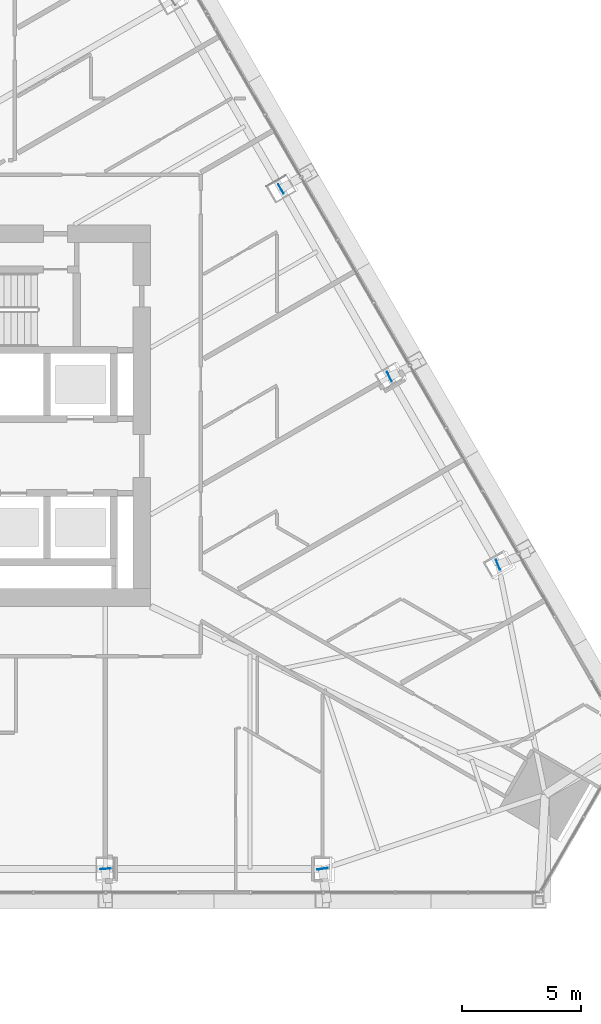
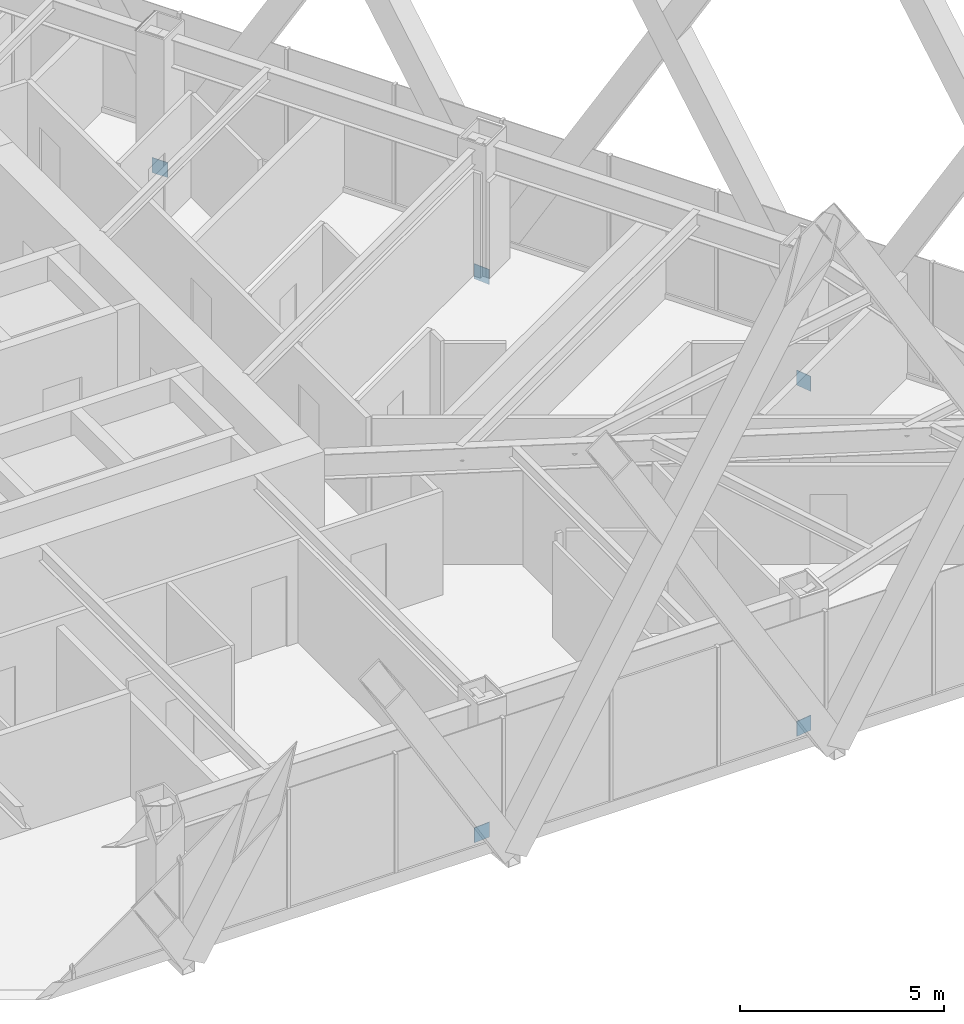
# One storey, part 23 of 26: 5 discrete accessories.
"""IFC4 building model written with IfcOpenShell, lengths in metres."""

import ifcopenshell
import ifcopenshell.guid

model = None  # the IFC model being written
_history = None  # IfcOwnerHistory: only IFC2X3 demands one
_inside = {}  # id of a spatial element -> (the spatial element, [elements in it])
_under = {}  # id of a project, library or spatial element -> (it, [spatial elements below it])
_declared = {}  # id of a project -> (the project, [libraries it declares])
_typed = {}  # id of a type object -> (the type object, [elements of that type])
_made_of = {}  # id of a material, layer set ... -> (it, [elements and type objects made of it])


def new_model(schema):
    """Start an empty IFC model of exactly this schema.

    Asked for "IFC4X3", IfcOpenShell would pick the latest addendum, in which some entities
    have other attributes; the version numbers below select the first issue.
    IFC2X3 requires an IfcOwnerHistory on every rooted entity: one is made here for all.
    """
    global model, _history
    if schema == "IFC4X3":
        model = ifcopenshell.file(schema_version=(4, 3, 0, 0))
    else:
        model = ifcopenshell.file(schema=schema)
    _inside.clear()
    _under.clear()
    _declared.clear()
    _typed.clear()
    _made_of.clear()
    _history = None
    if model.schema == "IFC2X3":
        org = make("IfcOrganization", Name="unknown")
        user = make(
            "IfcPersonAndOrganization",
            ThePerson=make("IfcPerson", FamilyName="unknown"),
            TheOrganization=org,
        )
        app = make(
            "IfcApplication",
            ApplicationDeveloper=org,
            Version="unknown",
            ApplicationFullName="unknown",
            ApplicationIdentifier="unknown",
        )
        _history = make(
            "IfcOwnerHistory",
            OwningUser=user,
            OwningApplication=app,
            ChangeAction="ADDED",
            CreationDate=0,
        )
    return model


def make(cls, **values):
    """One entity of the class cls with the attributes given. An attribute that is None is left unset."""
    return model.create_entity(
        cls, **{name: value for name, value in values.items() if value is not None}
    )


def rooted(cls, **values):
    """An entity with a GlobalId (a new one), such as an element, a storey or a relation."""
    return make(cls, GlobalId=ifcopenshell.guid.new(), OwnerHistory=_history, **values)


def si_unit(unit_type, name, prefix=None):
    """IfcSIUnit, for example si_unit("LENGTHUNIT", "METRE", prefix="MILLI")."""
    return make("IfcSIUnit", UnitType=unit_type, Prefix=prefix, Name=name)


def assignment(units):
    """IfcUnitAssignment: the units of a project."""
    return None if units is None else make("IfcUnitAssignment", Units=units)


def point(xyz):
    """IfcCartesianPoint."""
    return None if xyz is None else make("IfcCartesianPoint", Coordinates=xyz)


def direction(xyz):
    """IfcDirection."""
    return None if xyz is None else make("IfcDirection", DirectionRatios=xyz)


def frame(location, z_axis=None, x_axis=None):
    """IfcAxis2Placement3D, a coordinate frame: its origin and axes. An axis left out is left unset."""
    return make(
        "IfcAxis2Placement3D",
        Location=point(location),
        Axis=direction(z_axis),
        RefDirection=direction(x_axis),
    )


def frame_2d(location, x_axis=None):
    """IfcAxis2Placement2D, a coordinate frame in the plane: its origin and x axis."""
    return make(
        "IfcAxis2Placement2D", Location=point(location), RefDirection=direction(x_axis)
    )


def origin():
    """The frame at (0, 0, 0) with its axes left unset."""
    return frame((0.0, 0.0, 0.0))


def origin_2d():
    """The frame at (0, 0) in the plane with its x axis left unset."""
    return frame_2d((0.0, 0.0))


def place(relative_to, where):
    """IfcLocalPlacement: puts the frame where relative to a parent placement (None: the world)."""
    return make(
        "IfcLocalPlacement", PlacementRelTo=relative_to, RelativePlacement=where
    )


def context(
    kind, dimensions, precision=None, world=None, true_north=None, identifier=None
):
    """IfcGeometricRepresentationContext, for example the 3D "Model" context."""
    return make(
        "IfcGeometricRepresentationContext",
        ContextIdentifier=identifier,
        ContextType=kind,
        CoordinateSpaceDimension=dimensions,
        Precision=precision,
        WorldCoordinateSystem=world,
        TrueNorth=true_north,
    )


def subcontext(parent, identifier, kind, view, scale=None):
    """IfcGeometricRepresentationSubContext, for example "Body" below "Model"."""
    return make(
        "IfcGeometricRepresentationSubContext",
        ContextIdentifier=identifier,
        ContextType=kind,
        ParentContext=parent,
        TargetScale=scale,
        TargetView=view,
    )


def project(units=None, contexts=None):
    """IfcProject with its units and contexts."""
    return rooted(
        "IfcProject",
        Name="project",
        RepresentationContexts=contexts,
        UnitsInContext=assignment(units),
    )


def spatial(cls, under=None, at=None, **own):
    """A site, building, storey or space (cls), placed at a placement, below another one or the project."""
    s = rooted(cls, ObjectPlacement=at, **own)
    if under is not None:
        _under.setdefault(under.id(), (under, []))[1].append(s)
    return s


def profile(cls, at=None, kind="AREA", **sizes):
    """A parametric profile (cls). Its sizes go by their IFC names, for example OverallWidth=200.0."""
    return make(cls, ProfileType=kind, Position=at, **sizes)


def rectangle(**sizes):
    """IfcRectangleProfileDef."""
    return profile("IfcRectangleProfileDef", **sizes)


def extrude(swept, where, along, depth):
    """IfcExtrudedAreaSolid: the profile swept, set in the frame where, extruded along a direction by depth."""
    return make(
        "IfcExtrudedAreaSolid",
        SweptArea=swept,
        Position=where,
        ExtrudedDirection=direction(along),
        Depth=depth,
    )


def shape(context_of_items, identifier, shape_type, items):
    """IfcShapeRepresentation: the items that make up one representation, for example the "Body"."""
    return make(
        "IfcShapeRepresentation",
        ContextOfItems=context_of_items,
        RepresentationIdentifier=identifier,
        RepresentationType=shape_type,
        Items=items,
    )


def material(Name=None, Category=None):
    """IfcMaterial."""
    return make("IfcMaterial", Name=Name, Category=Category)


def layer(
    of_material, thickness, ventilated=None, Name=None, Category=None, Priority=None
):
    """IfcMaterialLayer: one layer of a wall or slab, of a material (None: an air gap)."""
    return make(
        "IfcMaterialLayer",
        Material=of_material,
        LayerThickness=thickness,
        IsVentilated=ventilated,
        Name=Name,
        Category=Category,
        Priority=Priority,
    )


def layer_set(layers, Name=None):
    """IfcMaterialLayerSet."""
    return make("IfcMaterialLayerSet", MaterialLayers=layers, LayerSetName=Name)


def made_of(thing, what):
    """Note that an element or type object is made of a material, layer set ...; save() writes the relation."""
    if what is not None:
        _made_of.setdefault(what.id(), (what, []))[1].append(thing)
    return thing


def type_object(cls, material=None, **own):
    """A type object (cls), such as IfcWallType, which elements share."""
    return made_of(rooted(cls, **own), material)


def element(
    cls,
    number,
    at=None,
    inside=None,
    cuts=None,
    type_object=None,
    material=None,
    context=None,
    identifier="Body",
    shape_type=None,
    held_by="IfcProductDefinitionShape",
    body=None,
    shapes=None,
    **own,
):
    """One element of the class cls, such as IfcWall. Its Tag is "e" and its number.

    at: its placement. inside: the storey or other place that contains it. cuts: it is an
    opening in that element (IfcRelVoidsElement). A single representation is given by context,
    identifier, shape_type and body (its items); several are given by shapes. held_by: the class
    of the entity that holds the representations. save() writes the other relations.
    """
    e = rooted(cls, Tag="e%d" % number, ObjectPlacement=at, **own)
    if body is not None:
        shapes = [shape(context, identifier, shape_type, body)]
    if shapes is not None:
        e.Representation = make(held_by, Representations=shapes)
    if inside is not None:
        _inside.setdefault(inside.id(), (inside, []))[1].append(e)
    if cuts is not None:
        rooted(
            "IfcRelVoidsElement", RelatingBuildingElement=cuts, RelatedOpeningElement=e
        )
    if type_object is not None:
        _typed.setdefault(type_object.id(), (type_object, []))[1].append(e)
    return made_of(e, material)


def aggregate(whole, parts):
    """IfcRelAggregates: a whole, such as a stair, and the parts it consists of."""
    return rooted("IfcRelAggregates", RelatingObject=whole, RelatedObjects=parts)


def save(model, path):
    """Write the relations noted so far, then the file.

    IfcRelAggregates (storeys below a building ...), IfcRelContainedInSpatialStructure (elements
    in a storey), IfcRelDefinesByType, IfcRelAssociatesMaterial and IfcRelDeclares: one each for
    every whole, place, type object, material and project.
    """
    for whole, parts in _under.values():
        aggregate(whole, parts)
    for where, things in _inside.values():
        rooted(
            "IfcRelContainedInSpatialStructure",
            RelatedElements=things,
            RelatingStructure=where,
        )
    for kind, things in _typed.values():
        rooted("IfcRelDefinesByType", RelatedObjects=things, RelatingType=kind)
    for what, things in _made_of.values():
        rooted("IfcRelAssociatesMaterial", RelatedObjects=things, RelatingMaterial=what)
    for by, libraries in _declared.values():
        rooted("IfcRelDeclares", RelatingContext=by, RelatedDefinitions=libraries)
    model.write(path)


model = new_model("IFC4")

# Units and contexts
model_context = context("Model", 3, precision=1e-05, world=origin(), true_north=direction((0.0, 1.0)))
body_context = subcontext(model_context, "Body", "Model", "MODEL_VIEW")
ifc_project = project(units=[si_unit("LENGTHUNIT", "METRE"), si_unit("AREAUNIT", "SQUARE_METRE"), si_unit("VOLUMEUNIT", "CUBIC_METRE"), si_unit("PLANEANGLEUNIT", "RADIAN"), si_unit("MASSUNIT", "GRAM", prefix="KILO")], contexts=[model_context])

# Site, building, storey
site_placement = place(None, origin())
site = spatial("IfcSite", under=ifc_project, at=site_placement, CompositionType="ELEMENT")
building_placement = place(site_placement, origin())
building = spatial("IfcBuilding", under=site, at=building_placement, Name="Firuza Gate Tower and Library", CompositionType="ELEMENT")
storey_placement = place(building_placement, frame((0.0, 0.0, 155.800048828125)))
storey = spatial("IfcBuildingStorey", under=building, at=storey_placement, Name="L35", CompositionType="ELEMENT", Elevation=155.800048828125)

# Discrete accessories
ifc_material = material(Name="Steel S355", Category="steel")
ifc_layer = layer(ifc_material, 0.02001953125)
ifc_layer_set = layer_set([ifc_layer], Name="Tie end plate 450x450x20 Steel S355")
discrete_accessory_type = type_object("IfcDiscreteAccessoryType", Name="Tie end plate 450x450x20 Steel S355", PredefinedType="BRACKET", material=ifc_layer_set)
for number, where, z_axis, x_axis, name in (
    (1, (91.4619140625, 84.50439453125, -0.56298828125), (0.0, 0.0, 1.0), (-0.866025333971, -0.50000012092, 0.0), "Tie end plate"),
    (2, (96.011474609375, 76.6240234375, -0.56298828125), (0.0, 0.0, 1.0), (-0.899646796634, -0.436618416133, 0.0), "Tie end plate"),
    (3, (100.561279296875, 68.743896484375, -0.56298828125), (0.0, 0.0, 1.0), (-0.928365389015, -0.371668810204, 0.0), "Tie end plate"),
    (4, (84.099365234375, 55.991455078125, -0.56298828125), (0.0, 0.0, 1.0), (-0.071700514469, 0.997426205904, 0.0), "Tie end plate"),
    (5, (93.198486328125, 55.9912109375, -0.56298828125), (0.0, 0.0, 1.0), (-0.142307907596, 0.989822438337, 0.0), "Tie end plate"),
):
    element("IfcDiscreteAccessory", number, at=place(storey_placement, frame(where, z_axis=z_axis, x_axis=x_axis)), inside=storey, type_object=discrete_accessory_type, Name=name, PredefinedType="BRACKET", context=body_context, shape_type="SweptSolid", body=[
        extrude(rectangle(XDim=0.02001953125, YDim=0.446044921875, at=origin_2d()), origin(), (0.0, 0.0, 1.0), 0.446044921875),
    ])

save(model, "model.ifc")
